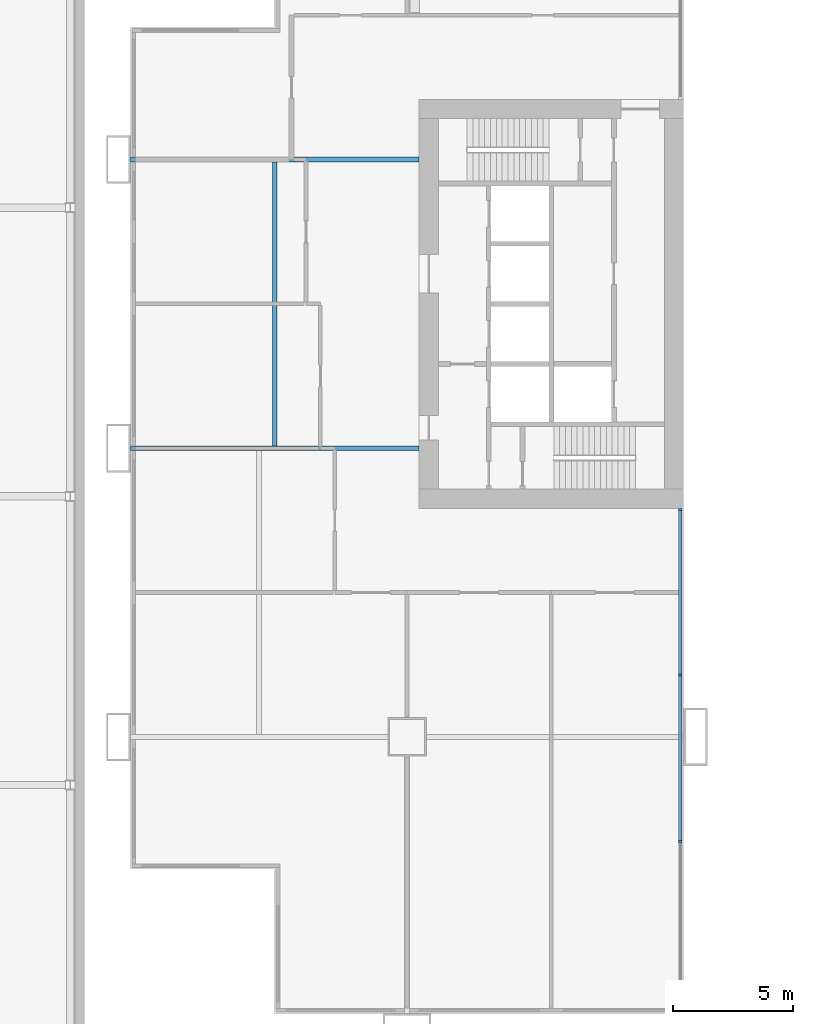
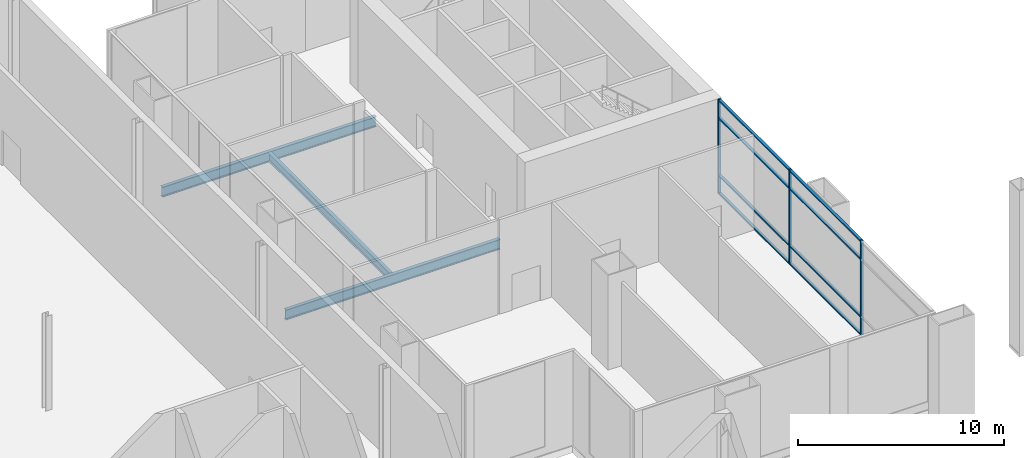
# One storey, part 9 of 25: 11 members, 3 beams, 1 element without a shape of its own.
"""IFC4 building model written with IfcOpenShell, lengths in metres."""

from ifc_helpers import new_model, si_unit, direction, frame, origin, origin_2d, place, context, subcontext, project, spatial, rectangle, i_section, extrude, material, material_profile, profile_set, type_object, element, aggregate, save


model = new_model("IFC4")

# Units and contexts
model_context = context("Model", 3, precision=1e-05, world=origin(), true_north=direction((0.0, 1.0)))
body_context = subcontext(model_context, "Body", "Model", "MODEL_VIEW")
ifc_project = project(units=[si_unit("LENGTHUNIT", "METRE"), si_unit("AREAUNIT", "SQUARE_METRE"), si_unit("VOLUMEUNIT", "CUBIC_METRE"), si_unit("PLANEANGLEUNIT", "RADIAN"), si_unit("MASSUNIT", "GRAM", prefix="KILO")], contexts=[model_context])

# Site, building, storey
site_placement = place(None, origin())
site = spatial("IfcSite", under=ifc_project, at=site_placement, CompositionType="ELEMENT")
building_placement = place(site_placement, origin())
building = spatial("IfcBuilding", under=site, at=building_placement, Name="Kitamizu Gate Tower and Museum", CompositionType="ELEMENT")
storey_placement = place(building_placement, frame((0.0, 0.0, 12.0)))
storey = spatial("IfcBuildingStorey", under=building, at=storey_placement, Name="L02", CompositionType="ELEMENT", Elevation=12.0)

# Beams
ifc_material_1 = material(Name="Steel SM490A", Category="steel")
ifc_material_profile_1 = material_profile(ifc_material_1, i_section(OverallWidth=0.199951171875, OverallDepth=0.5, WebThickness=0.010009765625, FlangeThickness=0.01611328125, FilletRadius=0.02001953125, at=origin_2d()), Name="H-500x200x10x16")
ifc_profile_set_1 = profile_set([ifc_material_profile_1], Name="Steel SM490A")
beam_type_1 = type_object("IfcBeamType", Name="Floor beam FB1 H 500x200x10x16", PredefinedType="BEAM", material=ifc_profile_set_1)
beam_placement = place(storey_placement, frame((6.5, 24.10009765625, -0.64990234375), z_axis=(0.0, 1.0, 0.0), x_axis=(-1.0, 0.0, 0.0)))
element("IfcBeam", 1, at=beam_placement, inside=storey, type_object=beam_type_1, Name="Floor beam FB1 L02-3", PredefinedType="BEAM", context=body_context, shape_type="SweptSolid", body=[
    extrude(i_section(OverallWidth=0.199951171875, OverallDepth=0.5, WebThickness=0.010009765625, FlangeThickness=0.01611328125, FilletRadius=0.02001953125, at=origin_2d()), origin(), (0.0, 0.0, 1.0), 11.7998046875),
])
ifc_material_2 = material(Name="Steel SM490A", Category="steel")
ifc_material_profile_2 = material_profile(ifc_material_2, i_section(OverallWidth=0.199951171875, OverallDepth=0.60009765625, WebThickness=0.010986328125, FlangeThickness=0.01708984375, FilletRadius=0.02197265625, at=origin_2d()), Name="H-600x200x11x17")
ifc_profile_set_2 = profile_set([ifc_material_profile_2], Name="Steel SM490A")
beam_type_2 = type_object("IfcBeamType", Name="Floor girder FG1 H 600x200x11x17", PredefinedType="BEAM", material=ifc_profile_set_2)
for number, where, z_axis, x_axis, name in (
    (2, (0.5, 24.0, -0.699951171875), (1.0, 0.0, 0.0), (0.0, 1.0, 0.0), "Floor girder FG1 y24 L02"),
    (3, (0.5, 36.0, -0.699951171875), (1.0, 0.0, 0.0), (0.0, 1.0, 0.0), "Floor girder FG1 y36 L02"),
):
    element("IfcBeam", number, at=place(storey_placement, frame(where, z_axis=z_axis, x_axis=x_axis)), inside=storey, type_object=beam_type_2, Name=name, PredefinedType="BEAM", context=body_context, shape_type="SweptSolid", body=[
        extrude(i_section(OverallWidth=0.199951171875, OverallDepth=0.60009765625, WebThickness=0.010986328125, FlangeThickness=0.01708984375, FilletRadius=0.02197265625, at=origin_2d()), origin(), (0.0, 0.0, 1.0), 12.0),
    ])

# Curtain wall, members
ifc_material_3 = material(Name="Bronze anodised aluminium frame, tinted triple glazing", Category="aluminium")
curtain_wall_type = type_object("IfcCurtainWallType", Name="CURTAIN WALL TYPE A PODIUM", PredefinedType="NOTDEFINED", material=ifc_material_3)
curtain_wall_placement = place(storey_placement, origin())
curtain_wall = element("IfcCurtainWall", 4, at=curtain_wall_placement, inside=storey, type_object=curtain_wall_type, Name="Curtain wall CW-A east L02", PredefinedType="NOTDEFINED")
ifc_material_4 = material(Name="Bronze anodised aluminium", Category="aluminium")
ifc_material_profile_3 = material_profile(ifc_material_4, rectangle(XDim=0.090087890625, YDim=0.14990234375, at=origin_2d()), Name="AL 90X150")
ifc_profile_set_3 = profile_set([ifc_material_profile_3], Name="Bronze anodised aluminium")
member_type_1 = type_object("IfcMemberType", Name="MULLION 90 X 150 TYPE A", PredefinedType="MULLION", material=ifc_profile_set_3)
member_1_placement = place(storey_placement, frame((23.364990234375, 7.639892578125, 0.0), z_axis=(0.0, 0.0, 1.0), x_axis=(0.0, 1.0, 0.0)))
member_1 = element("IfcMember", 5, at=member_1_placement, type_object=member_type_1, Name="CW-A mullion 2", PredefinedType="MULLION", context=body_context, shape_type="SweptSolid", body=[
    extrude(rectangle(XDim=0.090087890625, YDim=0.14990234375, at=origin_2d()), origin(), (0.0, 0.0, 1.0), 5.60009765625),
])
member_2_placement = place(storey_placement, frame((23.364990234375, 14.570068359375, 0.0), z_axis=(0.0, 0.0, 1.0), x_axis=(0.0, 1.0, 0.0)))
member_2 = element("IfcMember", 6, at=member_2_placement, type_object=member_type_1, Name="CW-A mullion 3", PredefinedType="MULLION", context=body_context, shape_type="SweptSolid", body=[
    extrude(rectangle(XDim=0.090087890625, YDim=0.14990234375, at=origin_2d()), origin(), (0.0, 0.0, 1.0), 5.60009765625),
])
member_3_placement = place(storey_placement, frame((23.364990234375, 21.455078125, 0.0), z_axis=(0.0, 0.0, 1.0), x_axis=(0.0, 1.0, 0.0)))
member_3 = element("IfcMember", 7, at=member_3_placement, type_object=member_type_1, Name="CW-A mullion 4", PredefinedType="MULLION", context=body_context, shape_type="SweptSolid", body=[
    extrude(rectangle(XDim=0.090087890625, YDim=0.14990234375, at=origin_2d()), origin(), (0.0, 0.0, 1.0), 5.60009765625),
])
ifc_material_5 = material(Name="Bronze anodised aluminium", Category="aluminium")
ifc_material_profile_4 = material_profile(ifc_material_5, rectangle(XDim=0.14990234375, YDim=0.080078125, at=origin_2d()), Name="AL 80X150")
ifc_profile_set_4 = profile_set([ifc_material_profile_4], Name="Bronze anodised aluminium")
member_type_2 = type_object("IfcMemberType", Name="TRANSOM 80 X 150 TYPE A", PredefinedType="USERDEFINED", material=ifc_profile_set_4)
member_4_placement = place(storey_placement, frame((23.364990234375, 7.68505859375, 0.0400390625), z_axis=(0.0, 1.0, 0.0), x_axis=(-1.0, 0.0, 0.0)))
member_4 = element("IfcMember", 8, at=member_4_placement, type_object=member_type_2, Name="CW-A transom 2.1", ObjectType="TRANSOM", PredefinedType="USERDEFINED", context=body_context, shape_type="SweptSolid", body=[
    extrude(rectangle(XDim=0.14990234375, YDim=0.080078125, at=origin_2d()), origin(), (0.0, 0.0, 1.0), 6.83984375),
])
member_5_placement = place(storey_placement, frame((23.364990234375, 7.68505859375, 1.10009765625), z_axis=(0.0, 1.0, 0.0), x_axis=(-1.0, 0.0, 0.0)))
member_5 = element("IfcMember", 9, at=member_5_placement, type_object=member_type_2, Name="CW-A transom 2.2", ObjectType="TRANSOM", PredefinedType="USERDEFINED", context=body_context, shape_type="SweptSolid", body=[
    extrude(rectangle(XDim=0.14990234375, YDim=0.080078125, at=origin_2d()), origin(), (0.0, 0.0, 1.0), 6.83984375),
])
member_6_placement = place(storey_placement, frame((23.364990234375, 7.68505859375, 4.5), z_axis=(0.0, 1.0, 0.0), x_axis=(-1.0, 0.0, 0.0)))
member_6 = element("IfcMember", 10, at=member_6_placement, type_object=member_type_2, Name="CW-A transom 2.3", ObjectType="TRANSOM", PredefinedType="USERDEFINED", context=body_context, shape_type="SweptSolid", body=[
    extrude(rectangle(XDim=0.14990234375, YDim=0.080078125, at=origin_2d()), origin(), (0.0, 0.0, 1.0), 6.83984375),
])
member_7_placement = place(storey_placement, frame((23.364990234375, 7.68505859375, 5.56005859375), z_axis=(0.0, 1.0, 0.0), x_axis=(-1.0, 0.0, 0.0)))
member_7 = element("IfcMember", 11, at=member_7_placement, type_object=member_type_2, Name="CW-A transom 2.4", ObjectType="TRANSOM", PredefinedType="USERDEFINED", context=body_context, shape_type="SweptSolid", body=[
    extrude(rectangle(XDim=0.14990234375, YDim=0.080078125, at=origin_2d()), origin(), (0.0, 0.0, 1.0), 6.83984375),
])
member_8_placement = place(storey_placement, frame((23.364990234375, 14.614990234375, 0.0400390625), z_axis=(0.0, 1.0, 0.0), x_axis=(-1.0, 0.0, 0.0)))
member_8 = element("IfcMember", 12, at=member_8_placement, type_object=member_type_2, Name="CW-A transom 3.1", ObjectType="TRANSOM", PredefinedType="USERDEFINED", context=body_context, shape_type="SweptSolid", body=[
    extrude(rectangle(XDim=0.14990234375, YDim=0.080078125, at=origin_2d()), origin(), (0.0, 0.0, 1.0), 6.794921875),
])
member_9_placement = place(storey_placement, frame((23.364990234375, 14.614990234375, 1.10009765625), z_axis=(0.0, 1.0, 0.0), x_axis=(-1.0, 0.0, 0.0)))
member_9 = element("IfcMember", 13, at=member_9_placement, type_object=member_type_2, Name="CW-A transom 3.2", ObjectType="TRANSOM", PredefinedType="USERDEFINED", context=body_context, shape_type="SweptSolid", body=[
    extrude(rectangle(XDim=0.14990234375, YDim=0.080078125, at=origin_2d()), origin(), (0.0, 0.0, 1.0), 6.794921875),
])
member_10_placement = place(storey_placement, frame((23.364990234375, 14.614990234375, 4.5), z_axis=(0.0, 1.0, 0.0), x_axis=(-1.0, 0.0, 0.0)))
member_10 = element("IfcMember", 14, at=member_10_placement, type_object=member_type_2, Name="CW-A transom 3.3", ObjectType="TRANSOM", PredefinedType="USERDEFINED", context=body_context, shape_type="SweptSolid", body=[
    extrude(rectangle(XDim=0.14990234375, YDim=0.080078125, at=origin_2d()), origin(), (0.0, 0.0, 1.0), 6.794921875),
])
member_11_placement = place(storey_placement, frame((23.364990234375, 14.614990234375, 5.56005859375), z_axis=(0.0, 1.0, 0.0), x_axis=(-1.0, 0.0, 0.0)))
member_11 = element("IfcMember", 15, at=member_11_placement, type_object=member_type_2, Name="CW-A transom 3.4", ObjectType="TRANSOM", PredefinedType="USERDEFINED", context=body_context, shape_type="SweptSolid", body=[
    extrude(rectangle(XDim=0.14990234375, YDim=0.080078125, at=origin_2d()), origin(), (0.0, 0.0, 1.0), 6.794921875),
])
aggregate(curtain_wall, [member_1, member_2, member_3, member_4, member_5, member_6, member_7, member_8, member_9, member_10, member_11])

save(model, "model.ifc")
